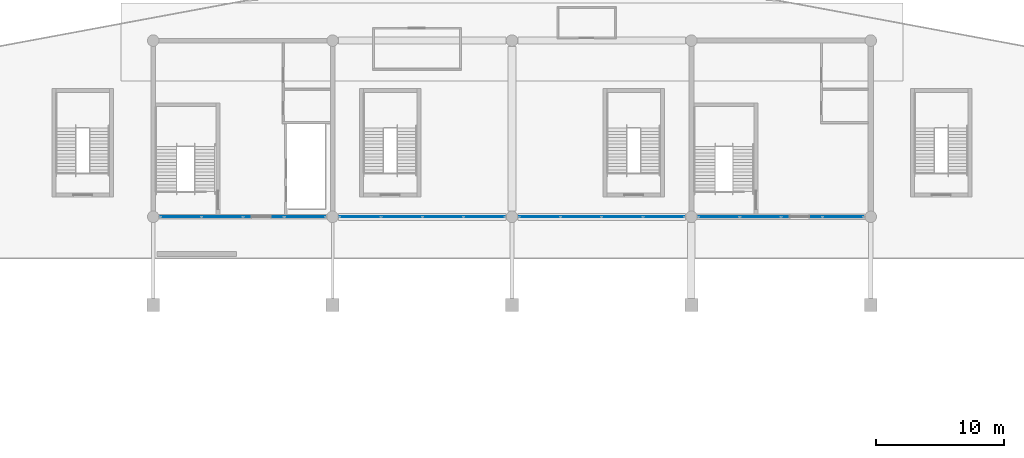
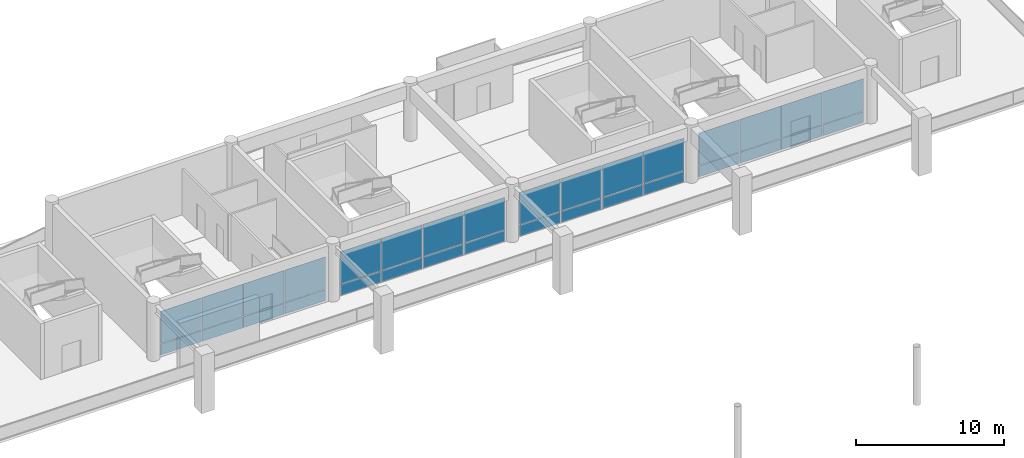
# One storey, part 53 of 91: 32 plates, 4 elements without a shape of their own.
"""IFC4 building model written with IfcOpenShell, lengths in metres."""

from ifc_helpers import new_model, si_unit, direction, frame, origin, origin_2d, place, context, subcontext, project, spatial, rectangle, extrude, material, layer, layer_set, type_object, element, aggregate, save


model = new_model("IFC4")

# Units and contexts
model_context = context("Model", 3, precision=1e-05, world=origin(), true_north=direction((0.0, 1.0)))
body_context = subcontext(model_context, "Body", "Model", "MODEL_VIEW")
ifc_project = project(units=[si_unit("LENGTHUNIT", "METRE"), si_unit("AREAUNIT", "SQUARE_METRE"), si_unit("VOLUMEUNIT", "CUBIC_METRE"), si_unit("PLANEANGLEUNIT", "RADIAN"), si_unit("MASSUNIT", "GRAM", prefix="KILO")], contexts=[model_context])

# Site, building, storey
site_placement = place(None, origin())
site = spatial("IfcSite", under=ifc_project, at=site_placement, CompositionType="ELEMENT")
building_placement = place(site_placement, origin())
building = spatial("IfcBuilding", under=site, at=building_placement, Name="Linyun Crest Stadium", CompositionType="ELEMENT")
storey_placement = place(building_placement, frame((0.0, 0.0, 11.39990234375)))
storey = spatial("IfcBuildingStorey", under=building, at=storey_placement, Name="L03", CompositionType="ELEMENT", Elevation=11.39990234375)

# Curtain wall, plates
ifc_material_1 = material(Name="Verdigris steel and low-E curtain wall assembly", Category="steel")
curtain_wall_type = type_object("IfcCurtainWallType", Name="MCW02", PredefinedType="NOTDEFINED", material=ifc_material_1)
curtain_wall_1_placement = place(storey_placement, origin())
curtain_wall_1 = element("IfcCurtainWall", 1, at=curtain_wall_1_placement, inside=storey, type_object=curtain_wall_type, Name="CWR-128", PredefinedType="NOTDEFINED")
ifc_material_2 = material(Name="Tempered solar-control low-E glass", Category="glass")
ifc_layer_1 = layer(ifc_material_2, 0.033935546875)
ifc_layer_set_1 = layer_set([ifc_layer_1], Name="Tempered solar-control low-E glass")
plate_type_1 = type_object("IfcPlateType", Name="GP03", PredefinedType="CURTAIN_PANEL", material=ifc_layer_set_1)
plate_1_placement = place(storey_placement, frame((-25.837890625, 91.5, 0.97509765625), z_axis=(0.0, 0.0, 1.0), x_axis=(1.0, 0.0, 0.0)))
plate_1 = element("IfcPlate", 2, at=plate_1_placement, type_object=plate_type_1, Name="CWR-128 panel 1.2", PredefinedType="CURTAIN_PANEL", context=body_context, shape_type="SweptSolid", body=[
    extrude(rectangle(XDim=3.175048828125, YDim=0.033935546875, at=origin_2d()), origin(), (0.0, 0.0, 1.0), 2.64990234375),
])
plate_2_placement = place(storey_placement, frame((-22.612060546875, 91.5, 0.97509765625), z_axis=(0.0, 0.0, 1.0), x_axis=(1.0, 0.0, 0.0)))
plate_2 = element("IfcPlate", 3, at=plate_2_placement, type_object=plate_type_1, Name="CWR-128 panel 2.2", PredefinedType="CURTAIN_PANEL", context=body_context, shape_type="SweptSolid", body=[
    extrude(rectangle(XDim=3.175048828125, YDim=0.033935546875, at=origin_2d()), origin(), (0.0, 0.0, 1.0), 2.64990234375),
])
plate_3_placement = place(storey_placement, frame((-19.387939453125, 91.5, 0.97509765625), z_axis=(0.0, 0.0, 1.0), x_axis=(1.0, 0.0, 0.0)))
plate_3 = element("IfcPlate", 4, at=plate_3_placement, type_object=plate_type_1, Name="CWR-128 panel 3.2", PredefinedType="CURTAIN_PANEL", context=body_context, shape_type="SweptSolid", body=[
    extrude(rectangle(XDim=3.175048828125, YDim=0.033935546875, at=origin_2d()), origin(), (0.0, 0.0, 1.0), 2.64990234375),
])
plate_4_placement = place(storey_placement, frame((-16.1630859375, 91.5, 0.97509765625), z_axis=(0.0, 0.0, 1.0), x_axis=(1.0, 0.0, 0.0)))
plate_4 = element("IfcPlate", 5, at=plate_4_placement, type_object=plate_type_1, Name="CWR-128 panel 4.2", PredefinedType="CURTAIN_PANEL", context=body_context, shape_type="SweptSolid", body=[
    extrude(rectangle(XDim=3.175048828125, YDim=0.033935546875, at=origin_2d()), origin(), (0.0, 0.0, 1.0), 2.64990234375),
])

curtain_wall_2_placement = place(storey_placement, origin())
curtain_wall_2 = element("IfcCurtainWall", 6, at=curtain_wall_2_placement, inside=storey, type_object=curtain_wall_type, Name="CWR-135", PredefinedType="NOTDEFINED")
plate_5_placement = place(storey_placement, frame((-11.8369140625, 91.5, 0.97509765625), z_axis=(0.0, 0.0, 1.0), x_axis=(1.0, 0.0, 0.0)))
plate_5 = element("IfcPlate", 7, at=plate_5_placement, type_object=plate_type_1, Name="CWR-135 panel 1.2", PredefinedType="CURTAIN_PANEL", context=body_context, shape_type="SweptSolid", body=[
    extrude(rectangle(XDim=3.175048828125, YDim=0.033935546875, at=origin_2d()), origin(), (0.0, 0.0, 1.0), 2.64990234375),
])
plate_6_placement = place(storey_placement, frame((-8.612060546875, 91.5, 0.97509765625), z_axis=(0.0, 0.0, 1.0), x_axis=(1.0, 0.0, 0.0)))
plate_6 = element("IfcPlate", 8, at=plate_6_placement, type_object=plate_type_1, Name="CWR-135 panel 2.2", PredefinedType="CURTAIN_PANEL", context=body_context, shape_type="SweptSolid", body=[
    extrude(rectangle(XDim=3.175048828125, YDim=0.033935546875, at=origin_2d()), origin(), (0.0, 0.0, 1.0), 2.64990234375),
])
plate_7_placement = place(storey_placement, frame((-5.386962890625, 91.5, 0.97509765625), z_axis=(0.0, 0.0, 1.0), x_axis=(1.0, 0.0, 0.0)))
plate_7 = element("IfcPlate", 9, at=plate_7_placement, type_object=plate_type_1, Name="CWR-135 panel 3.2", PredefinedType="CURTAIN_PANEL", context=body_context, shape_type="SweptSolid", body=[
    extrude(rectangle(XDim=3.175048828125, YDim=0.033935546875, at=origin_2d()), origin(), (0.0, 0.0, 1.0), 2.64990234375),
])
plate_8_placement = place(storey_placement, frame((-2.1630859375, 91.5, 0.97509765625), z_axis=(0.0, 0.0, 1.0), x_axis=(1.0, 0.0, 0.0)))
plate_8 = element("IfcPlate", 10, at=plate_8_placement, type_object=plate_type_1, Name="CWR-135 panel 4.2", PredefinedType="CURTAIN_PANEL", context=body_context, shape_type="SweptSolid", body=[
    extrude(rectangle(XDim=3.175048828125, YDim=0.033935546875, at=origin_2d()), origin(), (0.0, 0.0, 1.0), 2.64990234375),
])

curtain_wall_3_placement = place(storey_placement, origin())
curtain_wall_3 = element("IfcCurtainWall", 11, at=curtain_wall_3_placement, inside=storey, type_object=curtain_wall_type, Name="CWR-142", PredefinedType="NOTDEFINED")
plate_9_placement = place(storey_placement, frame((2.162109375, 91.5, 0.97509765625), z_axis=(0.0, 0.0, 1.0), x_axis=(1.0, 0.0, 0.0)))
plate_9 = element("IfcPlate", 12, at=plate_9_placement, type_object=plate_type_1, Name="CWR-142 panel 1.2", PredefinedType="CURTAIN_PANEL", context=body_context, shape_type="SweptSolid", body=[
    extrude(rectangle(XDim=3.175048828125, YDim=0.033935546875, at=origin_2d()), origin(), (0.0, 0.0, 1.0), 2.64990234375),
])
plate_10_placement = place(storey_placement, frame((5.386962890625, 91.5, 0.97509765625), z_axis=(0.0, 0.0, 1.0), x_axis=(1.0, 0.0, 0.0)))
plate_10 = element("IfcPlate", 13, at=plate_10_placement, type_object=plate_type_1, Name="CWR-142 panel 2.2", PredefinedType="CURTAIN_PANEL", context=body_context, shape_type="SweptSolid", body=[
    extrude(rectangle(XDim=3.175048828125, YDim=0.033935546875, at=origin_2d()), origin(), (0.0, 0.0, 1.0), 2.64990234375),
])
plate_11_placement = place(storey_placement, frame((8.612060546875, 91.5, 0.97509765625), z_axis=(0.0, 0.0, 1.0), x_axis=(1.0, 0.0, 0.0)))
plate_11 = element("IfcPlate", 14, at=plate_11_placement, type_object=plate_type_1, Name="CWR-142 panel 3.2", PredefinedType="CURTAIN_PANEL", context=body_context, shape_type="SweptSolid", body=[
    extrude(rectangle(XDim=3.175048828125, YDim=0.033935546875, at=origin_2d()), origin(), (0.0, 0.0, 1.0), 2.64990234375),
])
plate_12_placement = place(storey_placement, frame((11.8369140625, 91.5, 0.97509765625), z_axis=(0.0, 0.0, 1.0), x_axis=(1.0, 0.0, 0.0)))
plate_12 = element("IfcPlate", 15, at=plate_12_placement, type_object=plate_type_1, Name="CWR-142 panel 4.2", PredefinedType="CURTAIN_PANEL", context=body_context, shape_type="SweptSolid", body=[
    extrude(rectangle(XDim=3.175048828125, YDim=0.033935546875, at=origin_2d()), origin(), (0.0, 0.0, 1.0), 2.64990234375),
])

curtain_wall_4_placement = place(storey_placement, origin())
curtain_wall_4 = element("IfcCurtainWall", 16, at=curtain_wall_4_placement, inside=storey, type_object=curtain_wall_type, Name="CWR-149", PredefinedType="NOTDEFINED")
plate_13_placement = place(storey_placement, frame((16.1630859375, 91.5, 0.97509765625), z_axis=(0.0, 0.0, 1.0), x_axis=(1.0, 0.0, 0.0)))
plate_13 = element("IfcPlate", 17, at=plate_13_placement, type_object=plate_type_1, Name="CWR-149 panel 1.2", PredefinedType="CURTAIN_PANEL", context=body_context, shape_type="SweptSolid", body=[
    extrude(rectangle(XDim=3.175048828125, YDim=0.033935546875, at=origin_2d()), origin(), (0.0, 0.0, 1.0), 2.64990234375),
])
plate_14_placement = place(storey_placement, frame((19.387939453125, 91.5, 0.97509765625), z_axis=(0.0, 0.0, 1.0), x_axis=(1.0, 0.0, 0.0)))
plate_14 = element("IfcPlate", 18, at=plate_14_placement, type_object=plate_type_1, Name="CWR-149 panel 2.2", PredefinedType="CURTAIN_PANEL", context=body_context, shape_type="SweptSolid", body=[
    extrude(rectangle(XDim=3.175048828125, YDim=0.033935546875, at=origin_2d()), origin(), (0.0, 0.0, 1.0), 2.64990234375),
])
plate_15_placement = place(storey_placement, frame((22.612060546875, 91.5, 0.97509765625), z_axis=(0.0, 0.0, 1.0), x_axis=(1.0, 0.0, 0.0)))
plate_15 = element("IfcPlate", 19, at=plate_15_placement, type_object=plate_type_1, Name="CWR-149 panel 3.2", PredefinedType="CURTAIN_PANEL", context=body_context, shape_type="SweptSolid", body=[
    extrude(rectangle(XDim=3.175048828125, YDim=0.033935546875, at=origin_2d()), origin(), (0.0, 0.0, 1.0), 2.64990234375),
])
plate_16_placement = place(storey_placement, frame((25.837890625, 91.5, 0.97509765625), z_axis=(0.0, 0.0, 1.0), x_axis=(1.0, 0.0, 0.0)))
plate_16 = element("IfcPlate", 20, at=plate_16_placement, type_object=plate_type_1, Name="CWR-149 panel 4.2", PredefinedType="CURTAIN_PANEL", context=body_context, shape_type="SweptSolid", body=[
    extrude(rectangle(XDim=3.175048828125, YDim=0.033935546875, at=origin_2d()), origin(), (0.0, 0.0, 1.0), 2.64990234375),
])

# Plate
ifc_material_3 = material(Name="Warm ochre glazed ceramic faience spandrel")
ifc_layer_2 = layer(ifc_material_3, 0.048095703125)
ifc_layer_set_2 = layer_set([ifc_layer_2], Name="Warm ochre glazed ceramic faience spandrel")
plate_type_2 = type_object("IfcPlateType", Name="SP02", PredefinedType="SHEET", material=ifc_layer_set_2)
plate_17_placement = place(storey_placement, frame((-25.837890625, 91.5, 0.025146484375), z_axis=(0.0, 0.0, 1.0), x_axis=(1.0, 0.0, 0.0)))
plate_17 = element("IfcPlate", 21, at=plate_17_placement, type_object=plate_type_2, Name="CWR-128 panel 1.1", PredefinedType="SHEET", context=body_context, shape_type="SweptSolid", body=[
    extrude(rectangle(XDim=3.175048828125, YDim=0.048095703125, at=origin_2d()), origin(), (0.0, 0.0, 1.0), 0.89990234375),
])

plate_18_placement = place(storey_placement, frame((-22.612060546875, 91.5, 0.025146484375), z_axis=(0.0, 0.0, 1.0), x_axis=(1.0, 0.0, 0.0)))
plate_18 = element("IfcPlate", 22, at=plate_18_placement, type_object=plate_type_2, Name="CWR-128 panel 2.1", PredefinedType="SHEET", context=body_context, shape_type="SweptSolid", body=[
    extrude(rectangle(XDim=3.175048828125, YDim=0.048095703125, at=origin_2d()), origin(), (0.0, 0.0, 1.0), 0.89990234375),
])

plate_19_placement = place(storey_placement, frame((-19.387939453125, 91.5, 0.025146484375), z_axis=(0.0, 0.0, 1.0), x_axis=(1.0, 0.0, 0.0)))
plate_19 = element("IfcPlate", 23, at=plate_19_placement, type_object=plate_type_2, Name="CWR-128 panel 3.1", PredefinedType="SHEET", context=body_context, shape_type="SweptSolid", body=[
    extrude(rectangle(XDim=3.175048828125, YDim=0.048095703125, at=origin_2d()), origin(), (0.0, 0.0, 1.0), 0.89990234375),
])

plate_20_placement = place(storey_placement, frame((-16.1630859375, 91.5, 0.025146484375), z_axis=(0.0, 0.0, 1.0), x_axis=(1.0, 0.0, 0.0)))
plate_20 = element("IfcPlate", 24, at=plate_20_placement, type_object=plate_type_2, Name="CWR-128 panel 4.1", PredefinedType="SHEET", context=body_context, shape_type="SweptSolid", body=[
    extrude(rectangle(XDim=3.175048828125, YDim=0.048095703125, at=origin_2d()), origin(), (0.0, 0.0, 1.0), 0.89990234375),
])

aggregate(curtain_wall_1, [plate_17, plate_1, plate_18, plate_2, plate_19, plate_3, plate_20, plate_4])

plate_21_placement = place(storey_placement, frame((-11.8369140625, 91.5, 0.025146484375), z_axis=(0.0, 0.0, 1.0), x_axis=(1.0, 0.0, 0.0)))
plate_21 = element("IfcPlate", 25, at=plate_21_placement, type_object=plate_type_2, Name="CWR-135 panel 1.1", PredefinedType="SHEET", context=body_context, shape_type="SweptSolid", body=[
    extrude(rectangle(XDim=3.175048828125, YDim=0.048095703125, at=origin_2d()), origin(), (0.0, 0.0, 1.0), 0.89990234375),
])

plate_22_placement = place(storey_placement, frame((-8.612060546875, 91.5, 0.025146484375), z_axis=(0.0, 0.0, 1.0), x_axis=(1.0, 0.0, 0.0)))
plate_22 = element("IfcPlate", 26, at=plate_22_placement, type_object=plate_type_2, Name="CWR-135 panel 2.1", PredefinedType="SHEET", context=body_context, shape_type="SweptSolid", body=[
    extrude(rectangle(XDim=3.175048828125, YDim=0.048095703125, at=origin_2d()), origin(), (0.0, 0.0, 1.0), 0.89990234375),
])

plate_23_placement = place(storey_placement, frame((-5.386962890625, 91.5, 0.025146484375), z_axis=(0.0, 0.0, 1.0), x_axis=(1.0, 0.0, 0.0)))
plate_23 = element("IfcPlate", 27, at=plate_23_placement, type_object=plate_type_2, Name="CWR-135 panel 3.1", PredefinedType="SHEET", context=body_context, shape_type="SweptSolid", body=[
    extrude(rectangle(XDim=3.175048828125, YDim=0.048095703125, at=origin_2d()), origin(), (0.0, 0.0, 1.0), 0.89990234375),
])

plate_24_placement = place(storey_placement, frame((-2.1630859375, 91.5, 0.025146484375), z_axis=(0.0, 0.0, 1.0), x_axis=(1.0, 0.0, 0.0)))
plate_24 = element("IfcPlate", 28, at=plate_24_placement, type_object=plate_type_2, Name="CWR-135 panel 4.1", PredefinedType="SHEET", context=body_context, shape_type="SweptSolid", body=[
    extrude(rectangle(XDim=3.175048828125, YDim=0.048095703125, at=origin_2d()), origin(), (0.0, 0.0, 1.0), 0.89990234375),
])

aggregate(curtain_wall_2, [plate_21, plate_5, plate_22, plate_6, plate_23, plate_7, plate_24, plate_8])

plate_25_placement = place(storey_placement, frame((2.162109375, 91.5, 0.025146484375), z_axis=(0.0, 0.0, 1.0), x_axis=(1.0, 0.0, 0.0)))
plate_25 = element("IfcPlate", 29, at=plate_25_placement, type_object=plate_type_2, Name="CWR-142 panel 1.1", PredefinedType="SHEET", context=body_context, shape_type="SweptSolid", body=[
    extrude(rectangle(XDim=3.175048828125, YDim=0.048095703125, at=origin_2d()), origin(), (0.0, 0.0, 1.0), 0.89990234375),
])

plate_26_placement = place(storey_placement, frame((5.386962890625, 91.5, 0.025146484375), z_axis=(0.0, 0.0, 1.0), x_axis=(1.0, 0.0, 0.0)))
plate_26 = element("IfcPlate", 30, at=plate_26_placement, type_object=plate_type_2, Name="CWR-142 panel 2.1", PredefinedType="SHEET", context=body_context, shape_type="SweptSolid", body=[
    extrude(rectangle(XDim=3.175048828125, YDim=0.048095703125, at=origin_2d()), origin(), (0.0, 0.0, 1.0), 0.89990234375),
])

plate_27_placement = place(storey_placement, frame((8.612060546875, 91.5, 0.025146484375), z_axis=(0.0, 0.0, 1.0), x_axis=(1.0, 0.0, 0.0)))
plate_27 = element("IfcPlate", 31, at=plate_27_placement, type_object=plate_type_2, Name="CWR-142 panel 3.1", PredefinedType="SHEET", context=body_context, shape_type="SweptSolid", body=[
    extrude(rectangle(XDim=3.175048828125, YDim=0.048095703125, at=origin_2d()), origin(), (0.0, 0.0, 1.0), 0.89990234375),
])

plate_28_placement = place(storey_placement, frame((11.8369140625, 91.5, 0.025146484375), z_axis=(0.0, 0.0, 1.0), x_axis=(1.0, 0.0, 0.0)))
plate_28 = element("IfcPlate", 32, at=plate_28_placement, type_object=plate_type_2, Name="CWR-142 panel 4.1", PredefinedType="SHEET", context=body_context, shape_type="SweptSolid", body=[
    extrude(rectangle(XDim=3.175048828125, YDim=0.048095703125, at=origin_2d()), origin(), (0.0, 0.0, 1.0), 0.89990234375),
])

aggregate(curtain_wall_3, [plate_25, plate_9, plate_26, plate_10, plate_27, plate_11, plate_28, plate_12])

plate_29_placement = place(storey_placement, frame((16.1630859375, 91.5, 0.025146484375), z_axis=(0.0, 0.0, 1.0), x_axis=(1.0, 0.0, 0.0)))
plate_29 = element("IfcPlate", 33, at=plate_29_placement, type_object=plate_type_2, Name="CWR-149 panel 1.1", PredefinedType="SHEET", context=body_context, shape_type="SweptSolid", body=[
    extrude(rectangle(XDim=3.175048828125, YDim=0.048095703125, at=origin_2d()), origin(), (0.0, 0.0, 1.0), 0.89990234375),
])

plate_30_placement = place(storey_placement, frame((19.387939453125, 91.5, 0.025146484375), z_axis=(0.0, 0.0, 1.0), x_axis=(1.0, 0.0, 0.0)))
plate_30 = element("IfcPlate", 34, at=plate_30_placement, type_object=plate_type_2, Name="CWR-149 panel 2.1", PredefinedType="SHEET", context=body_context, shape_type="SweptSolid", body=[
    extrude(rectangle(XDim=3.175048828125, YDim=0.048095703125, at=origin_2d()), origin(), (0.0, 0.0, 1.0), 0.89990234375),
])

plate_31_placement = place(storey_placement, frame((22.612060546875, 91.5, 0.025146484375), z_axis=(0.0, 0.0, 1.0), x_axis=(1.0, 0.0, 0.0)))
plate_31 = element("IfcPlate", 35, at=plate_31_placement, type_object=plate_type_2, Name="CWR-149 panel 3.1", PredefinedType="SHEET", context=body_context, shape_type="SweptSolid", body=[
    extrude(rectangle(XDim=3.175048828125, YDim=0.048095703125, at=origin_2d()), origin(), (0.0, 0.0, 1.0), 0.89990234375),
])

plate_32_placement = place(storey_placement, frame((25.837890625, 91.5, 0.025146484375), z_axis=(0.0, 0.0, 1.0), x_axis=(1.0, 0.0, 0.0)))
plate_32 = element("IfcPlate", 36, at=plate_32_placement, type_object=plate_type_2, Name="CWR-149 panel 4.1", PredefinedType="SHEET", context=body_context, shape_type="SweptSolid", body=[
    extrude(rectangle(XDim=3.175048828125, YDim=0.048095703125, at=origin_2d()), origin(), (0.0, 0.0, 1.0), 0.89990234375),
])

aggregate(curtain_wall_4, [plate_29, plate_13, plate_30, plate_14, plate_31, plate_15, plate_32, plate_16])

save(model, "model.ifc")
